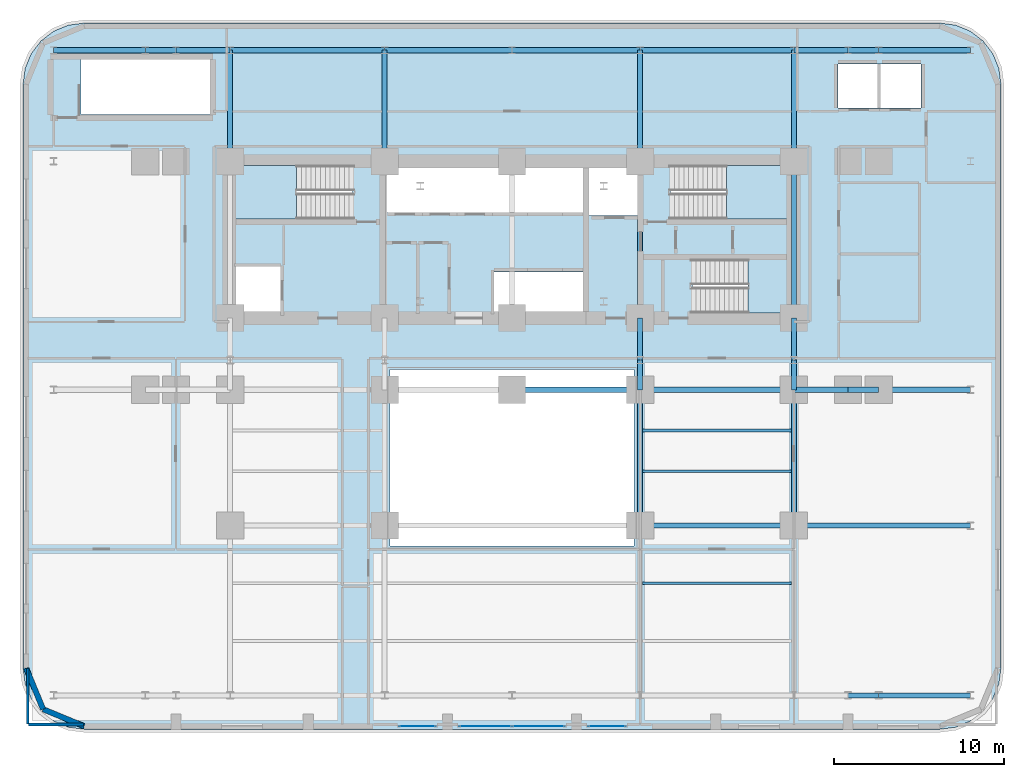
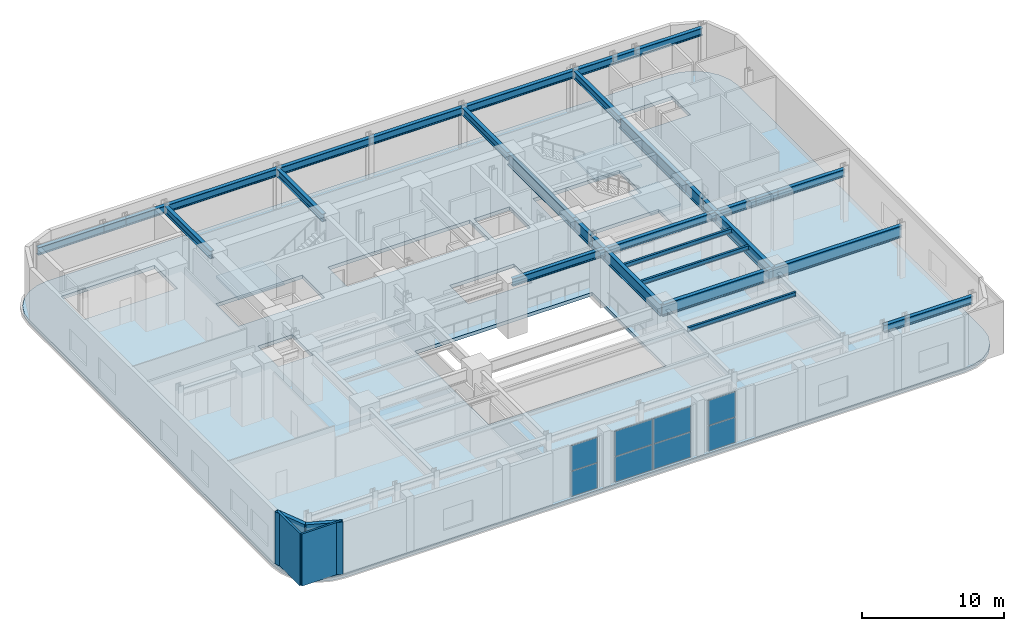
# One storey, part 5 of 15: 34 beams, 8 plates, 4 slabs, 4 walls, 6 elements without a shape of their own.
"""IFC4 building model written with IfcOpenShell, lengths in metres."""

from ifc_helpers import new_model, si_unit, direction, frame, frame_2d, origin, origin_2d, place, context, subcontext, project, spatial, polyline, rectangle, i_section, outline, extrude, material, layer, layer_set, material_profile, profile_set, type_object, element, aggregate, save


model = new_model("IFC4")

# Units and contexts
model_context = context("Model", 3, precision=1e-05, world=origin(), true_north=direction((0.0, 1.0)))
body_context = subcontext(model_context, "Body", "Model", "MODEL_VIEW")
ifc_project = project(units=[si_unit("LENGTHUNIT", "METRE"), si_unit("AREAUNIT", "SQUARE_METRE"), si_unit("VOLUMEUNIT", "CUBIC_METRE"), si_unit("PLANEANGLEUNIT", "RADIAN"), si_unit("MASSUNIT", "GRAM", prefix="KILO")], contexts=[model_context])

# Site, building, storey
site_placement = place(None, origin())
site = spatial("IfcSite", under=ifc_project, at=site_placement, CompositionType="ELEMENT")
building_placement = place(site_placement, origin())
building = spatial("IfcBuilding", under=site, at=building_placement, Name="Zarnavel Station Tower", CompositionType="ELEMENT")
storey_placement = place(building_placement, frame((0.0, 0.0, 24.199951171875)))
storey = spatial("IfcBuildingStorey", under=building, at=storey_placement, Name="L06", CompositionType="ELEMENT", Elevation=24.199951171875)

# Beams
ifc_material_1 = material(Name="Steel S355J2", Category="steel")
ifc_material_profile_1 = material_profile(ifc_material_1, i_section(OverallWidth=0.300048828125, OverallDepth=0.64990234375, WebThickness=0.01611328125, FlangeThickness=0.031005859375, FilletRadius=0.027099609375, at=origin_2d()), Name="HEB650")
ifc_profile_set_1 = profile_set([ifc_material_profile_1], Name="Steel S355J2")
beam_type_1 = type_object("IfcBeamType", Name="FG_HEB650", PredefinedType="USERDEFINED", material=ifc_profile_set_1)
for number, where, z_axis, x_axis, name in (
    (1, (12.199951171875, 37.050048828125, 4.155029296875), (0.0, 1.0, 0.0), (-1.0, 0.0, 0.0), "L06 NS Girder North 1"),
    (2, (21.300048828125, 37.050048828125, 4.155029296875), (0.0, 1.0, 0.0), (-1.0, 0.0, 0.0), "L06 NS Girder North 2"),
    (3, (36.35009765625, 37.050048828125, 4.155029296875), (0.0, 1.0, 0.0), (-1.0, 0.0, 0.0), "L06 NS Girder North 3"),
    (4, (45.39990234375, 37.050048828125, 4.155029296875), (0.0, 1.0, 0.0), (-1.0, 0.0, 0.0), "L06 NS Girder North 4"),
):
    element("IfcBeam", number, at=place(storey_placement, frame(where, z_axis=z_axis, x_axis=x_axis)), inside=storey, type_object=beam_type_1, Name=name, ObjectType="GIRDER", PredefinedType="USERDEFINED", context=body_context, shape_type="SweptSolid", body=[
        extrude(i_section(OverallWidth=0.300048828125, OverallDepth=0.64990234375, WebThickness=0.01611328125, FlangeThickness=0.031005859375, FilletRadius=0.027099609375, at=origin_2d()), origin(), (0.0, 0.0, 1.0), 6.550048828125),
    ])
beam_1_placement = place(storey_placement, frame((48.60009765625, 5.60009765625, 4.155029296875), z_axis=(1.0, 0.0, 0.0), x_axis=(0.0, 1.0, 0.0)))
element("IfcBeam", 5, at=beam_1_placement, inside=storey, type_object=beam_type_1, Name="L06 EW Frame Girder 1-9", ObjectType="GIRDER", PredefinedType="USERDEFINED", context=body_context, shape_type="SweptSolid", body=[
    extrude(i_section(OverallWidth=0.300048828125, OverallDepth=0.64990234375, WebThickness=0.01611328125, FlangeThickness=0.031005859375, FilletRadius=0.027099609375, at=origin_2d()), origin(), (0.0, 0.0, 1.0), 1.7998046875),
])
beam_2_placement = place(storey_placement, frame((50.39990234375, 5.60009765625, 4.155029296875), z_axis=(1.0, 0.0, 0.0), x_axis=(0.0, 1.0, 0.0)))
element("IfcBeam", 6, at=beam_2_placement, inside=storey, type_object=beam_type_1, Name="L06 EW Frame Girder 1-10", ObjectType="GIRDER", PredefinedType="USERDEFINED", context=body_context, shape_type="SweptSolid", body=[
    extrude(i_section(OverallWidth=0.300048828125, OverallDepth=0.64990234375, WebThickness=0.01611328125, FlangeThickness=0.031005859375, FilletRadius=0.027099609375, at=origin_2d()), origin(), (0.0, 0.0, 1.0), 5.400146484375),
])
beam_3_placement = place(storey_placement, frame((28.800048828125, 23.60009765625, 4.155029296875), z_axis=(1.0, 0.0, 0.0), x_axis=(0.0, 1.0, 0.0)))
element("IfcBeam", 7, at=beam_3_placement, inside=storey, type_object=beam_type_1, Name="L06 EW Frame Girder 2-6", ObjectType="GIRDER", PredefinedType="USERDEFINED", context=body_context, shape_type="SweptSolid", body=[
    extrude(i_section(OverallWidth=0.300048828125, OverallDepth=0.64990234375, WebThickness=0.01611328125, FlangeThickness=0.031005859375, FilletRadius=0.027099609375, at=origin_2d()), origin(), (0.0, 0.0, 1.0), 7.550048828125),
])
beam_4_placement = place(storey_placement, frame((36.35009765625, 23.60009765625, 4.155029296875), z_axis=(1.0, 0.0, 0.0), x_axis=(0.0, 1.0, 0.0)))
element("IfcBeam", 8, at=beam_4_placement, inside=storey, type_object=beam_type_1, Name="L06 EW Frame Girder 2-7", ObjectType="GIRDER", PredefinedType="USERDEFINED", context=body_context, shape_type="SweptSolid", body=[
    extrude(i_section(OverallWidth=0.300048828125, OverallDepth=0.64990234375, WebThickness=0.01611328125, FlangeThickness=0.031005859375, FilletRadius=0.027099609375, at=origin_2d()), origin(), (0.0, 0.0, 1.0), 9.0498046875),
])
beam_5_placement = place(storey_placement, frame((45.39990234375, 23.60009765625, 4.155029296875), z_axis=(1.0, 0.0, 0.0), x_axis=(0.0, 1.0, 0.0)))
element("IfcBeam", 9, at=beam_5_placement, inside=storey, type_object=beam_type_1, Name="L06 EW Frame Girder 2-8", ObjectType="GIRDER", PredefinedType="USERDEFINED", context=body_context, shape_type="SweptSolid", body=[
    extrude(i_section(OverallWidth=0.300048828125, OverallDepth=0.64990234375, WebThickness=0.01611328125, FlangeThickness=0.031005859375, FilletRadius=0.027099609375, at=origin_2d()), origin(), (0.0, 0.0, 1.0), 3.2001953125),
])
beam_6_placement = place(storey_placement, frame((48.60009765625, 23.60009765625, 4.155029296875), z_axis=(1.0, 0.0, 0.0), x_axis=(0.0, 1.0, 0.0)))
element("IfcBeam", 10, at=beam_6_placement, inside=storey, type_object=beam_type_1, Name="L06 EW Frame Girder 2-9", ObjectType="GIRDER", PredefinedType="USERDEFINED", context=body_context, shape_type="SweptSolid", body=[
    extrude(i_section(OverallWidth=0.300048828125, OverallDepth=0.64990234375, WebThickness=0.01611328125, FlangeThickness=0.031005859375, FilletRadius=0.027099609375, at=origin_2d()), origin(), (0.0, 0.0, 1.0), 1.7998046875),
])
beam_7_placement = place(storey_placement, frame((50.39990234375, 23.60009765625, 4.155029296875), z_axis=(1.0, 0.0, 0.0), x_axis=(0.0, 1.0, 0.0)))
element("IfcBeam", 11, at=beam_7_placement, inside=storey, type_object=beam_type_1, Name="L06 EW Frame Girder 2-10", ObjectType="GIRDER", PredefinedType="USERDEFINED", context=body_context, shape_type="SweptSolid", body=[
    extrude(i_section(OverallWidth=0.300048828125, OverallDepth=0.64990234375, WebThickness=0.01611328125, FlangeThickness=0.031005859375, FilletRadius=0.027099609375, at=origin_2d()), origin(), (0.0, 0.0, 1.0), 5.400146484375),
])
beam_8_placement = place(storey_placement, frame((1.800048828125, 43.60009765625, 4.155029296875), z_axis=(1.0, 0.0, 0.0), x_axis=(0.0, 1.0, 0.0)))
element("IfcBeam", 12, at=beam_8_placement, inside=storey, type_object=beam_type_1, Name="L06 EW Frame Girder 3-1", ObjectType="GIRDER", PredefinedType="USERDEFINED", context=body_context, shape_type="SweptSolid", body=[
    extrude(i_section(OverallWidth=0.300048828125, OverallDepth=0.64990234375, WebThickness=0.01611328125, FlangeThickness=0.031005859375, FilletRadius=0.027099609375, at=origin_2d()), origin(), (0.0, 0.0, 1.0), 5.39990234375),
])
beam_9_placement = place(storey_placement, frame((7.199951171875, 43.60009765625, 4.155029296875), z_axis=(1.0, 0.0, 0.0), x_axis=(0.0, 1.0, 0.0)))
element("IfcBeam", 13, at=beam_9_placement, inside=storey, type_object=beam_type_1, Name="L06 EW Frame Girder 3-2", ObjectType="GIRDER", PredefinedType="USERDEFINED", context=body_context, shape_type="SweptSolid", body=[
    extrude(i_section(OverallWidth=0.300048828125, OverallDepth=0.64990234375, WebThickness=0.01611328125, FlangeThickness=0.031005859375, FilletRadius=0.027099609375, at=origin_2d()), origin(), (0.0, 0.0, 1.0), 1.800048828125),
])
beam_10_placement = place(storey_placement, frame((9.0, 43.60009765625, 4.155029296875), z_axis=(1.0, 0.0, 0.0), x_axis=(0.0, 1.0, 0.0)))
element("IfcBeam", 14, at=beam_10_placement, inside=storey, type_object=beam_type_1, Name="L06 EW Frame Girder 3-3", ObjectType="GIRDER", PredefinedType="USERDEFINED", context=body_context, shape_type="SweptSolid", body=[
    extrude(i_section(OverallWidth=0.300048828125, OverallDepth=0.64990234375, WebThickness=0.01611328125, FlangeThickness=0.031005859375, FilletRadius=0.027099609375, at=origin_2d()), origin(), (0.0, 0.0, 1.0), 3.199951171875),
])
beam_11_placement = place(storey_placement, frame((12.199951171875, 43.60009765625, 4.155029296875), z_axis=(1.0, 0.0, 0.0), x_axis=(0.0, 1.0, 0.0)))
element("IfcBeam", 15, at=beam_11_placement, inside=storey, type_object=beam_type_1, Name="L06 EW Frame Girder 3-4", ObjectType="GIRDER", PredefinedType="USERDEFINED", context=body_context, shape_type="SweptSolid", body=[
    extrude(i_section(OverallWidth=0.300048828125, OverallDepth=0.64990234375, WebThickness=0.01611328125, FlangeThickness=0.031005859375, FilletRadius=0.027099609375, at=origin_2d()), origin(), (0.0, 0.0, 1.0), 9.10009765625),
])
beam_12_placement = place(storey_placement, frame((21.300048828125, 43.60009765625, 4.155029296875), z_axis=(1.0, 0.0, 0.0), x_axis=(0.0, 1.0, 0.0)))
element("IfcBeam", 16, at=beam_12_placement, inside=storey, type_object=beam_type_1, Name="L06 EW Frame Girder 3-5", ObjectType="GIRDER", PredefinedType="USERDEFINED", context=body_context, shape_type="SweptSolid", body=[
    extrude(i_section(OverallWidth=0.300048828125, OverallDepth=0.64990234375, WebThickness=0.01611328125, FlangeThickness=0.031005859375, FilletRadius=0.027099609375, at=origin_2d()), origin(), (0.0, 0.0, 1.0), 7.5),
])
beam_13_placement = place(storey_placement, frame((28.800048828125, 43.60009765625, 4.155029296875), z_axis=(1.0, 0.0, 0.0), x_axis=(0.0, 1.0, 0.0)))
element("IfcBeam", 17, at=beam_13_placement, inside=storey, type_object=beam_type_1, Name="L06 EW Frame Girder 3-6", ObjectType="GIRDER", PredefinedType="USERDEFINED", context=body_context, shape_type="SweptSolid", body=[
    extrude(i_section(OverallWidth=0.300048828125, OverallDepth=0.64990234375, WebThickness=0.01611328125, FlangeThickness=0.031005859375, FilletRadius=0.027099609375, at=origin_2d()), origin(), (0.0, 0.0, 1.0), 7.550048828125),
])
beam_14_placement = place(storey_placement, frame((36.35009765625, 43.60009765625, 4.155029296875), z_axis=(1.0, 0.0, 0.0), x_axis=(0.0, 1.0, 0.0)))
element("IfcBeam", 18, at=beam_14_placement, inside=storey, type_object=beam_type_1, Name="L06 EW Frame Girder 3-7", ObjectType="GIRDER", PredefinedType="USERDEFINED", context=body_context, shape_type="SweptSolid", body=[
    extrude(i_section(OverallWidth=0.300048828125, OverallDepth=0.64990234375, WebThickness=0.01611328125, FlangeThickness=0.031005859375, FilletRadius=0.027099609375, at=origin_2d()), origin(), (0.0, 0.0, 1.0), 9.0498046875),
])
beam_15_placement = place(storey_placement, frame((45.39990234375, 43.60009765625, 4.155029296875), z_axis=(1.0, 0.0, 0.0), x_axis=(0.0, 1.0, 0.0)))
element("IfcBeam", 19, at=beam_15_placement, inside=storey, type_object=beam_type_1, Name="L06 EW Frame Girder 3-8", ObjectType="GIRDER", PredefinedType="USERDEFINED", context=body_context, shape_type="SweptSolid", body=[
    extrude(i_section(OverallWidth=0.300048828125, OverallDepth=0.64990234375, WebThickness=0.01611328125, FlangeThickness=0.031005859375, FilletRadius=0.027099609375, at=origin_2d()), origin(), (0.0, 0.0, 1.0), 3.2001953125),
])
beam_16_placement = place(storey_placement, frame((48.60009765625, 43.60009765625, 4.155029296875), z_axis=(1.0, 0.0, 0.0), x_axis=(0.0, 1.0, 0.0)))
element("IfcBeam", 20, at=beam_16_placement, inside=storey, type_object=beam_type_1, Name="L06 EW Frame Girder 3-9", ObjectType="GIRDER", PredefinedType="USERDEFINED", context=body_context, shape_type="SweptSolid", body=[
    extrude(i_section(OverallWidth=0.300048828125, OverallDepth=0.64990234375, WebThickness=0.01611328125, FlangeThickness=0.031005859375, FilletRadius=0.027099609375, at=origin_2d()), origin(), (0.0, 0.0, 1.0), 1.7998046875),
])
beam_17_placement = place(storey_placement, frame((50.39990234375, 43.60009765625, 4.155029296875), z_axis=(1.0, 0.0, 0.0), x_axis=(0.0, 1.0, 0.0)))
element("IfcBeam", 21, at=beam_17_placement, inside=storey, type_object=beam_type_1, Name="L06 EW Frame Girder 3-10", ObjectType="GIRDER", PredefinedType="USERDEFINED", context=body_context, shape_type="SweptSolid", body=[
    extrude(i_section(OverallWidth=0.300048828125, OverallDepth=0.64990234375, WebThickness=0.01611328125, FlangeThickness=0.031005859375, FilletRadius=0.027099609375, at=origin_2d()), origin(), (0.0, 0.0, 1.0), 5.400146484375),
])
ifc_material_2 = material(Name="Steel S355J2", Category="steel")
ifc_material_profile_2 = material_profile(ifc_material_2, i_section(OverallWidth=0.169921875, OverallDepth=0.360107421875, WebThickness=0.008056640625, FlangeThickness=0.0126953125, FilletRadius=0.01806640625, at=origin_2d()), Name="IPE360")
ifc_profile_set_2 = profile_set([ifc_material_profile_2], Name="Steel S355J2")
beam_type_2 = type_object("IfcBeamType", Name="FJ_IPE360", PredefinedType="JOIST", material=ifc_profile_set_2)
for number, where, z_axis, x_axis, name in (
    (22, (36.4951171875, 12.199951171875, 4.300048828125), (1.0, 0.0, 0.0), (0.0, 1.0, 0.0), "L06 Floor Joist E2"),
    (23, (36.4951171875, 18.800048828125, 4.300048828125), (1.0, 0.0, 0.0), (0.0, 1.0, 0.0), "L06 East Joist 3"),
    (24, (36.4951171875, 21.199951171875, 4.300048828125), (1.0, 0.0, 0.0), (0.0, 1.0, 0.0), "L06 East Joist 4"),
):
    element("IfcBeam", number, at=place(storey_placement, frame(where, z_axis=z_axis, x_axis=x_axis)), inside=storey, type_object=beam_type_2, Name=name, PredefinedType="JOIST", context=body_context, shape_type="SweptSolid", body=[
        extrude(i_section(OverallWidth=0.169921875, OverallDepth=0.360107421875, WebThickness=0.008056640625, FlangeThickness=0.0126953125, FilletRadius=0.01806640625, at=origin_2d()), origin(), (0.0, 0.0, 1.0), 8.759765625),
    ])
ifc_material_3 = material(Name="Steel S460M", Category="steel")
ifc_material_profile_3 = material_profile(ifc_material_3, i_section(OverallWidth=0.302001953125, OverallDepth=1.008056640625, WebThickness=0.02099609375, FlangeThickness=0.0400390625, FilletRadius=0.030029296875, at=origin_2d()), Name="HEM1000")
ifc_profile_set_3 = profile_set([ifc_material_profile_3], Name="Steel S460M")
beam_type_3 = type_object("IfcBeamType", Name="TG_HEM1000", PredefinedType="USERDEFINED", material=ifc_profile_set_3)
for number, where, z_axis, x_axis, name in (
    (25, (36.35009765625, 27.820068359375, 3.97607421875), (0.0, 1.0, 0.0), (-1.0, 0.0, 0.0), "L06 Core Spine Coupling Girder 4"),
    (26, (45.39990234375, 27.820068359375, 3.97607421875), (0.0, 1.0, 0.0), (-1.0, 0.0, 0.0), "L06 Core Spine Coupling Girder 5"),
):
    element("IfcBeam", number, at=place(storey_placement, frame(where, z_axis=z_axis, x_axis=x_axis)), inside=storey, type_object=beam_type_3, Name=name, ObjectType="GIRDER", PredefinedType="USERDEFINED", context=body_context, shape_type="SweptSolid", body=[
        extrude(i_section(OverallWidth=0.302001953125, OverallDepth=1.008056640625, WebThickness=0.02099609375, FlangeThickness=0.0400390625, FilletRadius=0.030029296875, at=origin_2d()), origin(), (0.0, 0.0, 1.0), 9.22998046875),
    ])
beam_18_placement = place(storey_placement, frame((36.35009765625, 15.60009765625, 3.97607421875), z_axis=(0.0, 1.0, 0.0), x_axis=(-1.0, 0.0, 0.0)))
element("IfcBeam", 27, at=beam_18_placement, inside=storey, type_object=beam_type_3, Name="L06 NS Girder Mid 3", ObjectType="GIRDER", PredefinedType="USERDEFINED", context=body_context, shape_type="SweptSolid", body=[
    extrude(i_section(OverallWidth=0.302001953125, OverallDepth=1.008056640625, WebThickness=0.02099609375, FlangeThickness=0.0400390625, FilletRadius=0.030029296875, at=origin_2d()), origin(), (0.0, 0.0, 1.0), 8.0),
])
beam_19_placement = place(storey_placement, frame((36.35009765625, 23.60009765625, 3.97607421875), z_axis=(0.0, 1.0, 0.0), x_axis=(-1.0, 0.0, 0.0)))
element("IfcBeam", 28, at=beam_19_placement, inside=storey, type_object=beam_type_3, Name="L06 NS Girder Spine 3", ObjectType="GIRDER", PredefinedType="USERDEFINED", context=body_context, shape_type="SweptSolid", body=[
    extrude(i_section(OverallWidth=0.302001953125, OverallDepth=1.008056640625, WebThickness=0.02099609375, FlangeThickness=0.0400390625, FilletRadius=0.030029296875, at=origin_2d()), origin(), (0.0, 0.0, 1.0), 1.75),
])
beam_20_placement = place(storey_placement, frame((36.35009765625, 25.35009765625, 3.97607421875), z_axis=(0.0, 1.0, 0.0), x_axis=(-1.0, 0.0, 0.0)))
element("IfcBeam", 29, at=beam_20_placement, inside=storey, type_object=beam_type_3, Name="L06 NS Girder Core 3", ObjectType="GIRDER", PredefinedType="USERDEFINED", context=body_context, shape_type="SweptSolid", body=[
    extrude(i_section(OverallWidth=0.302001953125, OverallDepth=1.008056640625, WebThickness=0.02099609375, FlangeThickness=0.0400390625, FilletRadius=0.030029296875, at=origin_2d()), origin(), (0.0, 0.0, 1.0), 2.469970703125),
])
beam_21_placement = place(storey_placement, frame((45.39990234375, 15.60009765625, 3.97607421875), z_axis=(0.0, 1.0, 0.0), x_axis=(-1.0, 0.0, 0.0)))
element("IfcBeam", 30, at=beam_21_placement, inside=storey, type_object=beam_type_3, Name="L06 NS Girder Mid 4", ObjectType="GIRDER", PredefinedType="USERDEFINED", context=body_context, shape_type="SweptSolid", body=[
    extrude(i_section(OverallWidth=0.302001953125, OverallDepth=1.008056640625, WebThickness=0.02099609375, FlangeThickness=0.0400390625, FilletRadius=0.030029296875, at=origin_2d()), origin(), (0.0, 0.0, 1.0), 8.0),
])
beam_22_placement = place(storey_placement, frame((45.39990234375, 23.60009765625, 3.97607421875), z_axis=(0.0, 1.0, 0.0), x_axis=(-1.0, 0.0, 0.0)))
element("IfcBeam", 31, at=beam_22_placement, inside=storey, type_object=beam_type_3, Name="L06 NS Girder Spine 4", ObjectType="GIRDER", PredefinedType="USERDEFINED", context=body_context, shape_type="SweptSolid", body=[
    extrude(i_section(OverallWidth=0.302001953125, OverallDepth=1.008056640625, WebThickness=0.02099609375, FlangeThickness=0.0400390625, FilletRadius=0.030029296875, at=origin_2d()), origin(), (0.0, 0.0, 1.0), 1.75),
])
beam_23_placement = place(storey_placement, frame((45.39990234375, 25.35009765625, 3.97607421875), z_axis=(0.0, 1.0, 0.0), x_axis=(-1.0, 0.0, 0.0)))
element("IfcBeam", 32, at=beam_23_placement, inside=storey, type_object=beam_type_3, Name="L06 NS Girder Core 4", ObjectType="GIRDER", PredefinedType="USERDEFINED", context=body_context, shape_type="SweptSolid", body=[
    extrude(i_section(OverallWidth=0.302001953125, OverallDepth=1.008056640625, WebThickness=0.02099609375, FlangeThickness=0.0400390625, FilletRadius=0.030029296875, at=origin_2d()), origin(), (0.0, 0.0, 1.0), 2.469970703125),
])
beam_24_placement = place(storey_placement, frame((36.35009765625, 15.60009765625, 3.97607421875), z_axis=(1.0, 0.0, 0.0), x_axis=(0.0, 1.0, 0.0)))
element("IfcBeam", 33, at=beam_24_placement, inside=storey, type_object=beam_type_3, Name="L06 East Hall Inner Girder", ObjectType="GIRDER", PredefinedType="USERDEFINED", context=body_context, shape_type="SweptSolid", body=[
    extrude(i_section(OverallWidth=0.302001953125, OverallDepth=1.008056640625, WebThickness=0.02099609375, FlangeThickness=0.0400390625, FilletRadius=0.030029296875, at=origin_2d()), origin(), (0.0, 0.0, 1.0), 9.0498046875),
])
beam_25_placement = place(storey_placement, frame((45.39990234375, 15.60009765625, 3.97607421875), z_axis=(1.0, 0.0, 0.0), x_axis=(0.0, 1.0, 0.0)))
element("IfcBeam", 34, at=beam_25_placement, inside=storey, type_object=beam_type_3, Name="L06 East Hall Outer Girder", ObjectType="GIRDER", PredefinedType="USERDEFINED", context=body_context, shape_type="SweptSolid", body=[
    extrude(i_section(OverallWidth=0.302001953125, OverallDepth=1.008056640625, WebThickness=0.02099609375, FlangeThickness=0.0400390625, FilletRadius=0.030029296875, at=origin_2d()), origin(), (0.0, 0.0, 1.0), 10.400146484375),
])

# Curtain wall, plates
ifc_material_4 = material(Name="Aluminium Dark Anodised and Solar-Control Glass", Category="aluminium")
ifc_layer_1 = layer(ifc_material_4, 0.179931640625)
ifc_layer_set_1 = layer_set([ifc_layer_1], Name="CWS1")
curtain_wall_type = type_object("IfcCurtainWallType", Name="CWS1", PredefinedType="NOTDEFINED", material=ifc_layer_set_1)
curtain_wall_1_placement = place(storey_placement, origin())
curtain_wall_1 = element("IfcCurtainWall", 35, at=curtain_wall_1_placement, inside=storey, type_object=curtain_wall_type, Name="L06 Curtain Wall CWS1-L06-S-S1", PredefinedType="NOTDEFINED")
ifc_material_5 = material(Name="Double Low-E Dark Solar-Control Glass", Category="glass")
ifc_layer_2 = layer(ifc_material_5, 0.035888671875)
ifc_layer_set_2 = layer_set([ifc_layer_2], Name="CWS1_PNL")
plate_type = type_object("IfcPlateType", Name="CWS1_PNL", PredefinedType="CURTAIN_PANEL", material=ifc_layer_set_2)
plate_1_placement = place(storey_placement, frame((23.22802734375, 3.780029296875, 0.06005859375), z_axis=(0.0, 0.0, 1.0), x_axis=(1.0, 0.0, 0.0)))
plate_1 = element("IfcPlate", 36, at=plate_1_placement, type_object=plate_type, Name="CW1 panel 1.1", PredefinedType="CURTAIN_PANEL", context=body_context, shape_type="SweptSolid", body=[
    extrude(rectangle(XDim=2.135986328125, YDim=0.028076171875, at=origin_2d()), origin(), (0.0, 0.0, 1.0), 2.14990234375),
])
plate_2_placement = place(storey_placement, frame((23.22802734375, 3.780029296875, 2.27001953125), z_axis=(0.0, 0.0, 1.0), x_axis=(1.0, 0.0, 0.0)))
plate_2 = element("IfcPlate", 37, at=plate_2_placement, type_object=plate_type, Name="CW1 panel 1.2", PredefinedType="CURTAIN_PANEL", context=body_context, shape_type="SweptSolid", body=[
    extrude(rectangle(XDim=2.135986328125, YDim=0.028076171875, at=origin_2d()), origin(), (0.0, 0.0, 1.0), 2.14990234375),
])
aggregate(curtain_wall_1, [plate_1, plate_2])

curtain_wall_2_placement = place(storey_placement, origin())
curtain_wall_2 = element("IfcCurtainWall", 38, at=curtain_wall_2_placement, inside=storey, type_object=curtain_wall_type, Name="L06 Curtain Wall CWS1-L06-S-S2", PredefinedType="NOTDEFINED")
plate_3_placement = place(storey_placement, frame((27.237060546875, 3.780029296875, 0.06005859375), z_axis=(0.0, 0.0, 1.0), x_axis=(1.0, 0.0, 0.0)))
plate_3 = element("IfcPlate", 39, at=plate_3_placement, type_object=plate_type, Name="CW1 panel 1.1", PredefinedType="CURTAIN_PANEL", context=body_context, shape_type="SweptSolid", body=[
    extrude(rectangle(XDim=3.06591796875, YDim=0.028076171875, at=origin_2d()), origin(), (0.0, 0.0, 1.0), 2.14990234375),
])
plate_4_placement = place(storey_placement, frame((27.237060546875, 3.780029296875, 2.27001953125), z_axis=(0.0, 0.0, 1.0), x_axis=(1.0, 0.0, 0.0)))
plate_4 = element("IfcPlate", 40, at=plate_4_placement, type_object=plate_type, Name="CW1 panel 1.2", PredefinedType="CURTAIN_PANEL", context=body_context, shape_type="SweptSolid", body=[
    extrude(rectangle(XDim=3.06591796875, YDim=0.028076171875, at=origin_2d()), origin(), (0.0, 0.0, 1.0), 2.14990234375),
])
plate_5_placement = place(storey_placement, frame((30.363037109375, 3.780029296875, 0.06005859375), z_axis=(0.0, 0.0, 1.0), x_axis=(1.0, 0.0, 0.0)))
plate_5 = element("IfcPlate", 41, at=plate_5_placement, type_object=plate_type, Name="CW1 panel 2.1", PredefinedType="CURTAIN_PANEL", context=body_context, shape_type="SweptSolid", body=[
    extrude(rectangle(XDim=3.06591796875, YDim=0.028076171875, at=origin_2d()), origin(), (0.0, 0.0, 1.0), 2.14990234375),
])
plate_6_placement = place(storey_placement, frame((30.363037109375, 3.780029296875, 2.27001953125), z_axis=(0.0, 0.0, 1.0), x_axis=(1.0, 0.0, 0.0)))
plate_6 = element("IfcPlate", 42, at=plate_6_placement, type_object=plate_type, Name="CW1 panel 2.2", PredefinedType="CURTAIN_PANEL", context=body_context, shape_type="SweptSolid", body=[
    extrude(rectangle(XDim=3.06591796875, YDim=0.028076171875, at=origin_2d()), origin(), (0.0, 0.0, 1.0), 2.14990234375),
])
aggregate(curtain_wall_2, [plate_3, plate_4, plate_5, plate_6])

curtain_wall_3_placement = place(storey_placement, origin())
curtain_wall_3 = element("IfcCurtainWall", 43, at=curtain_wall_3_placement, inside=storey, type_object=curtain_wall_type, Name="L06 Curtain Wall CWS1-L06-S-S3", PredefinedType="NOTDEFINED")
plate_7_placement = place(storey_placement, frame((34.39697265625, 3.780029296875, 0.06005859375), z_axis=(0.0, 0.0, 1.0), x_axis=(1.0, 0.0, 0.0)))
plate_7 = element("IfcPlate", 44, at=plate_7_placement, type_object=plate_type, Name="CW1 panel 1.1", PredefinedType="CURTAIN_PANEL", context=body_context, shape_type="SweptSolid", body=[
    extrude(rectangle(XDim=2.18603515625, YDim=0.028076171875, at=origin_2d()), origin(), (0.0, 0.0, 1.0), 2.14990234375),
])
plate_8_placement = place(storey_placement, frame((34.39697265625, 3.780029296875, 2.27001953125), z_axis=(0.0, 0.0, 1.0), x_axis=(1.0, 0.0, 0.0)))
plate_8 = element("IfcPlate", 45, at=plate_8_placement, type_object=plate_type, Name="CW1 panel 1.2", PredefinedType="CURTAIN_PANEL", context=body_context, shape_type="SweptSolid", body=[
    extrude(rectangle(XDim=2.18603515625, YDim=0.028076171875, at=origin_2d()), origin(), (0.0, 0.0, 1.0), 2.14990234375),
])
aggregate(curtain_wall_3, [plate_7, plate_8])

# Slab
ifc_material_6 = material(Name="Concrete C45/55", Category="concrete")
ifc_layer_3 = layer(ifc_material_6, 0.300048828125)
ifc_layer_set_3 = layer_set([ifc_layer_3], Name="SL_FLR_300")
slab_type_1 = type_object("IfcSlabType", Name="SL_FLR_300", PredefinedType="FLOOR", material=ifc_layer_set_3)
slab_1_placement = place(storey_placement, frame((0.0, 0.0, -0.300048828125)))
element("IfcSlab", 46, at=slab_1_placement, inside=storey, type_object=slab_type_1, Name="L06 Structural Floor Slab", PredefinedType="FLOOR", context=body_context, shape_type="SweptSolid", body=[
    extrude(outline(polyline([(54.0, 3.60009765625), (54.931640625, 3.72265625), (55.800048828125, 4.082275390625), (56.545654296875, 4.654296875), (57.11767578125, 5.39990234375), (57.477294921875, 6.268310546875), (57.60009765625, 7.199951171875), (57.60009765625, 41.60009765625), (57.477294921875, 42.53173828125), (57.11767578125, 43.39990234375), (56.545654296875, 44.1455078125), (55.800048828125, 44.7177734375), (54.931640625, 45.077392578125), (54.0, 45.199951171875), (3.60009765625, 45.199951171875), (2.668212890625, 45.077392578125), (1.800048828125, 44.7177734375), (1.054443359375, 44.1455078125), (0.482421875, 43.39990234375), (0.122802734375, 42.53173828125), (0.0, 41.60009765625), (0.0, 7.199951171875), (0.122802734375, 6.268310546875), (0.482421875, 5.39990234375), (1.054443359375, 4.654296875), (1.800048828125, 4.082275390625), (2.668212890625, 3.72265625), (3.60009765625, 3.60009765625), (54.0, 3.60009765625)]), holes=[polyline([(12.39990234375, 33.659912109375), (19.409912109375, 33.659912109375), (19.409912109375, 36.820068359375), (12.39990234375, 36.820068359375), (12.39990234375, 33.659912109375)]), polyline([(38.14990234375, 33.659912109375), (45.159912109375, 33.659912109375), (45.159912109375, 36.820068359375), (38.14990234375, 36.820068359375), (38.14990234375, 33.659912109375)]), polyline([(39.419921875, 28.1201171875), (45.14990234375, 28.1201171875), (45.14990234375, 31.280029296875), (39.419921875, 31.280029296875), (39.419921875, 28.1201171875)]), polyline([(3.419921875, 39.800048828125), (11.0, 39.800048828125), (11.0, 43.06005859375), (3.419921875, 43.06005859375), (3.419921875, 39.800048828125)]), polyline([(12.35009765625, 27.949951171875), (15.14990234375, 27.949951171875), (15.14990234375, 30.85009765625), (12.35009765625, 30.85009765625), (12.35009765625, 27.949951171875)]), polyline([(33.320068359375, 33.85009765625), (36.2099609375, 33.85009765625), (36.2099609375, 36.780029296875), (33.320068359375, 36.780029296875), (33.320068359375, 33.85009765625)]), polyline([(21.449951171875, 34.050048828125), (32.97998046875, 34.050048828125), (32.97998046875, 36.780029296875), (21.449951171875, 36.780029296875), (21.449951171875, 34.050048828125)]), polyline([(27.75, 27.949951171875), (32.97998046875, 27.949951171875), (32.97998046875, 30.550048828125), (27.75, 30.550048828125), (27.75, 27.949951171875)]), polyline([(48.0, 40.199951171875), (52.89990234375, 40.199951171875), (52.89990234375, 42.800048828125), (48.0, 42.800048828125), (48.0, 40.199951171875)]), polyline([(21.60009765625, 14.39990234375), (36.0, 14.39990234375), (36.0, 24.800048828125), (21.60009765625, 24.800048828125), (21.60009765625, 14.39990234375)])]), origin(), (0.0, 0.0, 1.0), 0.300048828125),
])

# Stair, slab
ifc_material_7 = material(Name="Concrete C45/55", Category="concrete")
stair_type = type_object("IfcStairType", Name="ST_CORE_150", PredefinedType="HALF_TURN_STAIR", material=ifc_material_7)
stair_1_placement = place(storey_placement, origin())
stair_1 = element("IfcStair", 47, at=stair_1_placement, inside=storey, type_object=stair_type, Name="L06 Core Exit Stair ST1", PredefinedType="HALF_TURN_STAIR")
ifc_material_8 = material(Name="Concrete C45/55", Category="concrete")
ifc_layer_4 = layer(ifc_material_8, 0.199951171875)
ifc_layer_set_4 = layer_set([ifc_layer_4], Name="SL_STAIR_LAND_200")
slab_type_2 = type_object("IfcSlabType", Name="SL_STAIR_LAND_200", PredefinedType="LANDING", material=ifc_layer_set_4)
slab_2_placement = place(storey_placement, frame((0.0, 0.0, 2.199951171875)))
slab_2 = element("IfcSlab", 48, at=slab_2_placement, type_object=slab_type_2, Name="ST1 landing 1", PredefinedType="LANDING", context=body_context, shape_type="SweptSolid", body=[
    extrude(outline(polyline([(16.1201171875, 36.820068359375), (12.39990234375, 36.820068359375), (12.39990234375, 33.659912109375), (16.1201171875, 33.659912109375), (16.1201171875, 36.820068359375)])), origin(), (0.0, 0.0, 1.0), 0.2001953125),
])
aggregate(stair_1, [slab_2])

stair_2_placement = place(storey_placement, origin())
stair_2 = element("IfcStair", 49, at=stair_2_placement, inside=storey, type_object=stair_type, Name="L06 Core Exit Stair ST2", PredefinedType="HALF_TURN_STAIR")
slab_3_placement = place(storey_placement, frame((0.0, 0.0, 2.199951171875)))
slab_3 = element("IfcSlab", 50, at=slab_3_placement, type_object=slab_type_2, Name="ST2 landing 1", PredefinedType="LANDING", context=body_context, shape_type="SweptSolid", body=[
    extrude(outline(polyline([(41.43994140625, 33.659912109375), (45.159912109375, 33.659912109375), (45.159912109375, 36.820068359375), (41.43994140625, 36.820068359375), (41.43994140625, 33.659912109375)])), origin(), (0.0, 0.0, 1.0), 0.2001953125),
])
aggregate(stair_2, [slab_3])

stair_3_placement = place(storey_placement, origin())
stair_3 = element("IfcStair", 51, at=stair_3_placement, inside=storey, type_object=stair_type, Name="L06 Core Exit Stair ST3", PredefinedType="HALF_TURN_STAIR")
slab_4_placement = place(storey_placement, frame((0.0, 0.0, 2.199951171875)))
slab_4 = element("IfcSlab", 52, at=slab_4_placement, type_object=slab_type_2, Name="ST3 landing 1", PredefinedType="LANDING", context=body_context, shape_type="SweptSolid", body=[
    extrude(outline(polyline([(42.7099609375, 28.1201171875), (45.14990234375, 28.1201171875), (45.14990234375, 31.280029296875), (42.7099609375, 31.280029296875), (42.7099609375, 28.1201171875)])), origin(), (0.0, 0.0, 1.0), 0.2001953125),
])
aggregate(stair_3, [slab_4])

# Walls
ifc_material_9 = material(Name="Precast concrete C45/55 (Podium Basalt Frame)", Category="masonry")
ifc_layer_5 = layer(ifc_material_9, 0.320068359375)
ifc_layer_set_5 = layer_set([ifc_layer_5], Name="EW_BASALT_320")
wall_type_1 = type_object("IfcWallType", Name="EW_BASALT_320", PredefinedType="SOLIDWALL", material=ifc_layer_set_5)
wall_1_placement = place(storey_placement, frame((1.181640625, 4.78173828125, 0.0), z_axis=(0.0, 0.0, 1.0), x_axis=(-0.382700522567, 0.923872453333, 0.0)))
element("IfcWall", 53, at=wall_1_placement, inside=storey, type_object=wall_type_1, Name="L06 Exterior Basalt Masonry Frame Wall 10", PredefinedType="SOLIDWALL", context=body_context, shape_type="SweptSolid", body=[
    extrude(rectangle(XDim=2.617431640625, YDim=0.320068359375, at=frame_2d((1.30859375, 0.0))), origin(), (0.0, 0.0, 1.0), 4.47998046875),
])
wall_2_placement = place(storey_placement, frame((3.60009765625, 3.780029296875, 0.0), z_axis=(0.0, 0.0, 1.0), x_axis=(-0.923886112352, 0.382667546838, 0.0)))
element("IfcWall", 54, at=wall_2_placement, inside=storey, type_object=wall_type_1, Name="L06 Exterior Basalt Masonry Frame Wall 11", PredefinedType="SOLIDWALL", context=body_context, shape_type="SweptSolid", body=[
    extrude(rectangle(XDim=2.61767578125, YDim=0.320068359375, at=frame_2d((1.308837890625, 0.0))), origin(), (0.0, 0.0, 1.0), 4.47998046875),
])
ifc_material_10 = material(Name="Gypsum Twin-Stud Acoustic Fire Partition", Category="concrete")
ifc_layer_6 = layer(ifc_material_10, 0.159912109375)
ifc_layer_set_6 = layer_set([ifc_layer_6], Name="PT_DEMISE_160")
wall_type_2 = type_object("IfcWallType", Name="PT_DEMISE_160", PredefinedType="PARTITIONING", material=ifc_layer_set_6)
for number, where, z_axis, x_axis, name in (
    (55, (0.31005859375, 3.8798828125, 0.0), (0.0, 0.0, 1.0), (1.0, 0.0, 0.0), "L06 Enclosure Wall SPA"),
    (56, (0.280029296875, 3.909912109375, 0.0), (0.0, 0.0, 1.0), (0.0, 1.0, 0.0), "L06 Enclosure Wall SPA"),
):
    element("IfcWall", number, at=place(storey_placement, frame(where, z_axis=z_axis, x_axis=x_axis)), inside=storey, type_object=wall_type_2, Name=name, PredefinedType="PARTITIONING", context=body_context, shape_type="SweptSolid", body=[
        extrude(rectangle(XDim=3.260009765625, YDim=0.159912109375, at=frame_2d((1.6298828125, 0.0))), origin(), (0.0, 0.0, 1.0), 4.47998046875),
    ])

save(model, "model.ifc")
